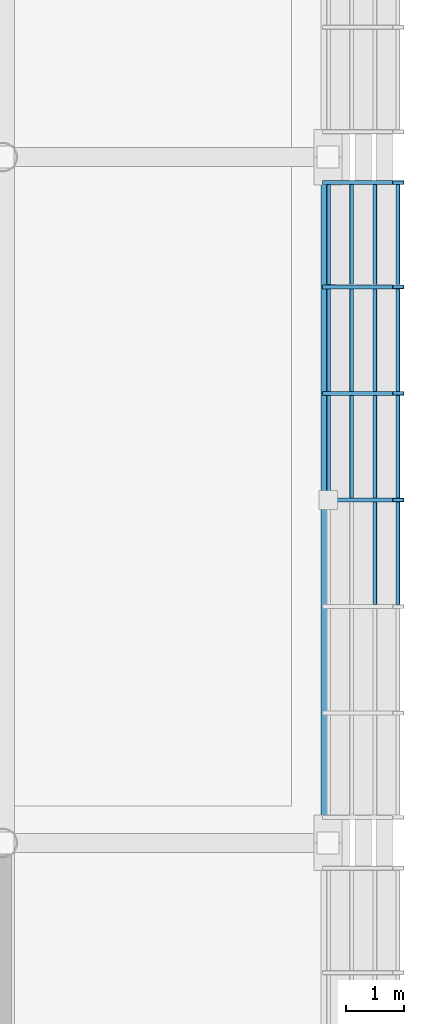
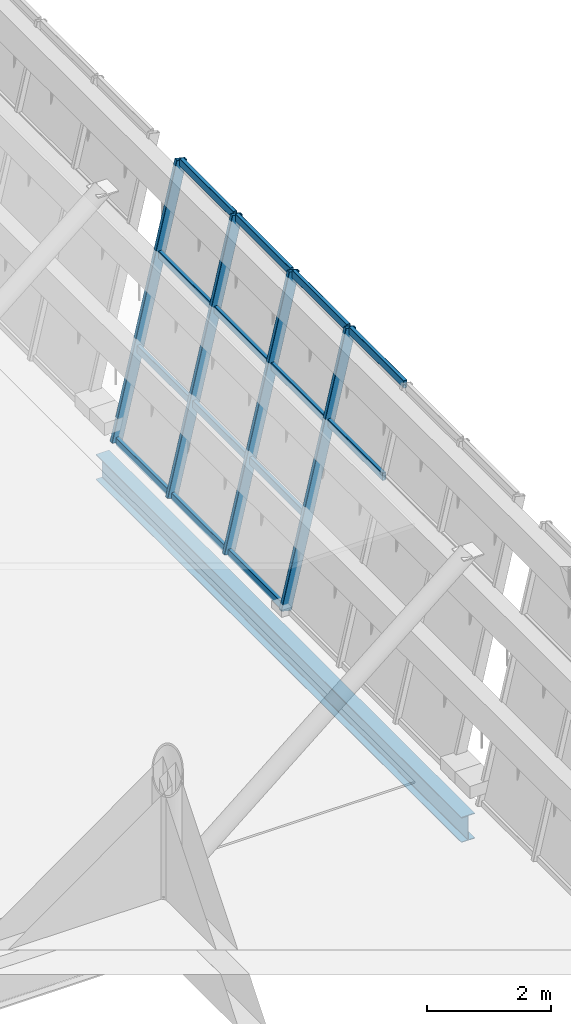
# One storey, part 64 of 175: 18 members, 1 beam, 1 element without a shape of its own.
"""IFC4 building model written with IfcOpenShell, lengths in metres."""

from ifc_helpers import new_model, si_unit, direction, frame, origin, origin_2d, place, context, subcontext, project, spatial, hollow_rectangle, i_section, extrude, material, material_profile, profile_set, type_object, element, aggregate, save


model = new_model("IFC4")

# Units and contexts
model_context = context("Model", 3, precision=1e-05, world=origin(), true_north=direction((0.0, 1.0)))
body_context = subcontext(model_context, "Body", "Model", "MODEL_VIEW")
ifc_project = project(units=[si_unit("LENGTHUNIT", "METRE"), si_unit("AREAUNIT", "SQUARE_METRE"), si_unit("VOLUMEUNIT", "CUBIC_METRE"), si_unit("PLANEANGLEUNIT", "RADIAN"), si_unit("MASSUNIT", "GRAM", prefix="KILO")], contexts=[model_context])

# Site, building, storey
site_placement = place(None, origin())
site = spatial("IfcSite", under=ifc_project, at=site_placement, CompositionType="ELEMENT")
building_placement = place(site_placement, origin())
building = spatial("IfcBuilding", under=site, at=building_placement, Name="Brelvane Convention Centre", CompositionType="ELEMENT")
storey_placement = place(building_placement, frame((0.0, 0.0, 5.39990234375)))
storey = spatial("IfcBuildingStorey", under=building, at=storey_placement, Name="L01", CompositionType="ELEMENT", Elevation=5.39990234375)

# Curtain wall, members
ifc_material_1 = material(Name="Anodised Aluminium Alloy 6063-T6", Category="aluminium")
curtain_wall_type = type_object("IfcCurtainWallType", Name="Curtain Wall CW-PLEN-E", PredefinedType="USERDEFINED", material=ifc_material_1)
curtain_wall_placement = place(storey_placement, origin())
curtain_wall = element("IfcCurtainWall", 1, at=curtain_wall_placement, inside=storey, type_object=curtain_wall_type, Name="Curtain Wall CW-PLEN-E L01-HULL-E-L01-4", ObjectType="UNITISED", PredefinedType="USERDEFINED")
ifc_material_2 = material(Name="Anodised Aluminium Alloy 6063-T6", Category="aluminium")
ifc_material_profile_1 = material_profile(ifc_material_2, hollow_rectangle(XDim=0.074951171875, YDim=0.199951171875, WallThickness=0.0048828125, InnerFilletRadius=0.0048828125, OuterFilletRadius=0.010009765625, at=origin_2d()), Name="ALU-M 200x75x5.0")
ifc_profile_set_1 = profile_set([ifc_material_profile_1], Name="Anodised Aluminium Alloy 6063-T6")
member_type_1 = type_object("IfcMemberType", Name="Curtain Mullion CW-M2", PredefinedType="MULLION", material=ifc_profile_set_1)
member_1_placement = place(storey_placement, frame((230.0, 58.300048828125, 0.0), z_axis=(0.228360162456, 0.0, 0.973576723326), x_axis=(0.0, 1.0, 0.0)))
member_1 = element("IfcMember", 2, at=member_1_placement, type_object=member_type_1, Name="CW-PLEN-E mullion 4", PredefinedType="MULLION", context=body_context, shape_type="SweptSolid", body=[
    extrude(hollow_rectangle(XDim=0.074951171875, YDim=0.199951171875, WallThickness=0.0048828125, InnerFilletRadius=0.0048828125, OuterFilletRadius=0.010009765625, at=origin_2d()), origin(), (0.0, 0.0, 1.0), 5.2900390625),
])
member_2_placement = place(storey_placement, frame((230.0, 60.13330078125, 0.0), z_axis=(0.228360162456, 0.0, 0.973576723326), x_axis=(0.0, 1.0, 0.0)))
member_2 = element("IfcMember", 3, at=member_2_placement, type_object=member_type_1, Name="CW-PLEN-E mullion 5", PredefinedType="MULLION", context=body_context, shape_type="SweptSolid", body=[
    extrude(hollow_rectangle(XDim=0.074951171875, YDim=0.199951171875, WallThickness=0.0048828125, InnerFilletRadius=0.0048828125, OuterFilletRadius=0.010009765625, at=origin_2d()), origin(), (0.0, 0.0, 1.0), 5.2900390625),
])
member_3_placement = place(storey_placement, frame((230.0, 61.966552734375, 0.0), z_axis=(0.228360162456, 0.0, 0.973576723326), x_axis=(0.0, 1.0, 0.0)))
member_3 = element("IfcMember", 4, at=member_3_placement, type_object=member_type_1, Name="CW-PLEN-E mullion 6", PredefinedType="MULLION", context=body_context, shape_type="SweptSolid", body=[
    extrude(hollow_rectangle(XDim=0.074951171875, YDim=0.199951171875, WallThickness=0.0048828125, InnerFilletRadius=0.0048828125, OuterFilletRadius=0.010009765625, at=origin_2d()), origin(), (0.0, 0.0, 1.0), 5.2900390625),
])
member_4_placement = place(storey_placement, frame((230.0, 63.762451171875, 0.0), z_axis=(0.228360162456, 0.0, 0.973576723326), x_axis=(0.0, 1.0, 0.0)))
member_4 = element("IfcMember", 5, at=member_4_placement, type_object=member_type_1, Name="CW-PLEN-E mullion 7", PredefinedType="MULLION", context=body_context, shape_type="SweptSolid", body=[
    extrude(hollow_rectangle(XDim=0.074951171875, YDim=0.199951171875, WallThickness=0.0048828125, InnerFilletRadius=0.0048828125, OuterFilletRadius=0.010009765625, at=origin_2d()), origin(), (0.0, 0.0, 1.0), 5.2900390625),
])
ifc_material_3 = material(Name="Anodised Aluminium Alloy 6063-T6", Category="aluminium")
ifc_material_profile_2 = material_profile(ifc_material_3, hollow_rectangle(XDim=0.070068359375, YDim=0.14990234375, WallThickness=0.00439453125, InnerFilletRadius=0.00439453125, OuterFilletRadius=0.009033203125, at=origin_2d()), Name="ALU-T 150x70x4.5")
ifc_profile_set_2 = profile_set([ifc_material_profile_2], Name="Anodised Aluminium Alloy 6063-T6")
member_type_2 = type_object("IfcMemberType", Name="Curtain Transom CW-T2", PredefinedType="USERDEFINED", material=ifc_profile_set_2)
member_5_placement = place(storey_placement, frame((230.80517578125, 56.504150390625, 3.433349609375), z_axis=(0.0, 1.0, 0.0), x_axis=(-1.0, 0.0, 0.0)))
member_5 = element("IfcMember", 6, at=member_5_placement, type_object=member_type_2, Name="CW-PLEN-E transom 3.3", ObjectType="TRANSOM", PredefinedType="USERDEFINED", context=body_context, shape_type="SweptSolid", body=[
    extrude(hollow_rectangle(XDim=0.070068359375, YDim=0.14990234375, WallThickness=0.00439453125, InnerFilletRadius=0.00439453125, OuterFilletRadius=0.009033203125, at=origin_2d()), origin(), (0.0, 0.0, 1.0), 1.75830078125),
])
member_6_placement = place(storey_placement, frame((231.19970703125, 56.504150390625, 5.114990234375), z_axis=(0.0, 1.0, 0.0), x_axis=(-1.0, 0.0, 0.0)))
member_6 = element("IfcMember", 7, at=member_6_placement, type_object=member_type_2, Name="CW-PLEN-E transom 3.4", ObjectType="TRANSOM", PredefinedType="USERDEFINED", context=body_context, shape_type="SweptSolid", body=[
    extrude(hollow_rectangle(XDim=0.070068359375, YDim=0.14990234375, WallThickness=0.00439453125, InnerFilletRadius=0.00439453125, OuterFilletRadius=0.009033203125, at=origin_2d()), origin(), (0.0, 0.0, 1.0), 1.75830078125),
])
member_7_placement = place(storey_placement, frame((230.00830078125, 58.33740234375, 0.03515625), z_axis=(0.0, 1.0, 0.0), x_axis=(-1.0, 0.0, 0.0)))
member_7 = element("IfcMember", 8, at=member_7_placement, type_object=member_type_2, Name="CW-PLEN-E transom 4.1", ObjectType="TRANSOM", PredefinedType="USERDEFINED", context=body_context, shape_type="SweptSolid", body=[
    extrude(hollow_rectangle(XDim=0.070068359375, YDim=0.14990234375, WallThickness=0.00439453125, InnerFilletRadius=0.00439453125, OuterFilletRadius=0.009033203125, at=origin_2d()), origin(), (0.0, 0.0, 1.0), 1.758544921875),
])
member_8_placement = place(storey_placement, frame((230.402587890625, 58.33740234375, 1.716796875), z_axis=(0.0, 1.0, 0.0), x_axis=(-1.0, 0.0, 0.0)))
member_8 = element("IfcMember", 9, at=member_8_placement, type_object=member_type_2, Name="CW-PLEN-E transom 4.2", ObjectType="TRANSOM", PredefinedType="USERDEFINED", context=body_context, shape_type="SweptSolid", body=[
    extrude(hollow_rectangle(XDim=0.070068359375, YDim=0.14990234375, WallThickness=0.00439453125, InnerFilletRadius=0.00439453125, OuterFilletRadius=0.009033203125, at=origin_2d()), origin(), (0.0, 0.0, 1.0), 1.758544921875),
])
member_9_placement = place(storey_placement, frame((230.80517578125, 58.33740234375, 3.433349609375), z_axis=(0.0, 1.0, 0.0), x_axis=(-1.0, 0.0, 0.0)))
member_9 = element("IfcMember", 10, at=member_9_placement, type_object=member_type_2, Name="CW-PLEN-E transom 4.3", ObjectType="TRANSOM", PredefinedType="USERDEFINED", context=body_context, shape_type="SweptSolid", body=[
    extrude(hollow_rectangle(XDim=0.070068359375, YDim=0.14990234375, WallThickness=0.00439453125, InnerFilletRadius=0.00439453125, OuterFilletRadius=0.009033203125, at=origin_2d()), origin(), (0.0, 0.0, 1.0), 1.758544921875),
])
member_10_placement = place(storey_placement, frame((231.19970703125, 58.33740234375, 5.114990234375), z_axis=(0.0, 1.0, 0.0), x_axis=(-1.0, 0.0, 0.0)))
member_10 = element("IfcMember", 11, at=member_10_placement, type_object=member_type_2, Name="CW-PLEN-E transom 4.4", ObjectType="TRANSOM", PredefinedType="USERDEFINED", context=body_context, shape_type="SweptSolid", body=[
    extrude(hollow_rectangle(XDim=0.070068359375, YDim=0.14990234375, WallThickness=0.00439453125, InnerFilletRadius=0.00439453125, OuterFilletRadius=0.009033203125, at=origin_2d()), origin(), (0.0, 0.0, 1.0), 1.758544921875),
])
member_11_placement = place(storey_placement, frame((230.00830078125, 60.1708984375, 0.03515625), z_axis=(0.0, 1.0, 0.0), x_axis=(-1.0, 0.0, 0.0)))
member_11 = element("IfcMember", 12, at=member_11_placement, type_object=member_type_2, Name="CW-PLEN-E transom 5.1", ObjectType="TRANSOM", PredefinedType="USERDEFINED", context=body_context, shape_type="SweptSolid", body=[
    extrude(hollow_rectangle(XDim=0.070068359375, YDim=0.14990234375, WallThickness=0.00439453125, InnerFilletRadius=0.00439453125, OuterFilletRadius=0.009033203125, at=origin_2d()), origin(), (0.0, 0.0, 1.0), 1.75830078125),
])
member_12_placement = place(storey_placement, frame((230.402587890625, 60.1708984375, 1.716796875), z_axis=(0.0, 1.0, 0.0), x_axis=(-1.0, 0.0, 0.0)))
member_12 = element("IfcMember", 13, at=member_12_placement, type_object=member_type_2, Name="CW-PLEN-E transom 5.2", ObjectType="TRANSOM", PredefinedType="USERDEFINED", context=body_context, shape_type="SweptSolid", body=[
    extrude(hollow_rectangle(XDim=0.070068359375, YDim=0.14990234375, WallThickness=0.00439453125, InnerFilletRadius=0.00439453125, OuterFilletRadius=0.009033203125, at=origin_2d()), origin(), (0.0, 0.0, 1.0), 1.75830078125),
])
member_13_placement = place(storey_placement, frame((230.80517578125, 60.1708984375, 3.433349609375), z_axis=(0.0, 1.0, 0.0), x_axis=(-1.0, 0.0, 0.0)))
member_13 = element("IfcMember", 14, at=member_13_placement, type_object=member_type_2, Name="CW-PLEN-E transom 5.3", ObjectType="TRANSOM", PredefinedType="USERDEFINED", context=body_context, shape_type="SweptSolid", body=[
    extrude(hollow_rectangle(XDim=0.070068359375, YDim=0.14990234375, WallThickness=0.00439453125, InnerFilletRadius=0.00439453125, OuterFilletRadius=0.009033203125, at=origin_2d()), origin(), (0.0, 0.0, 1.0), 1.75830078125),
])
member_14_placement = place(storey_placement, frame((231.19970703125, 60.1708984375, 5.114990234375), z_axis=(0.0, 1.0, 0.0), x_axis=(-1.0, 0.0, 0.0)))
member_14 = element("IfcMember", 15, at=member_14_placement, type_object=member_type_2, Name="CW-PLEN-E transom 5.4", ObjectType="TRANSOM", PredefinedType="USERDEFINED", context=body_context, shape_type="SweptSolid", body=[
    extrude(hollow_rectangle(XDim=0.070068359375, YDim=0.14990234375, WallThickness=0.00439453125, InnerFilletRadius=0.00439453125, OuterFilletRadius=0.009033203125, at=origin_2d()), origin(), (0.0, 0.0, 1.0), 1.75830078125),
])
member_15_placement = place(storey_placement, frame((230.00830078125, 62.004150390625, 0.03515625), z_axis=(0.0, 1.0, 0.0), x_axis=(-1.0, 0.0, 0.0)))
member_15 = element("IfcMember", 16, at=member_15_placement, type_object=member_type_2, Name="CW-PLEN-E transom 6.1", ObjectType="TRANSOM", PredefinedType="USERDEFINED", context=body_context, shape_type="SweptSolid", body=[
    extrude(hollow_rectangle(XDim=0.070068359375, YDim=0.14990234375, WallThickness=0.00439453125, InnerFilletRadius=0.00439453125, OuterFilletRadius=0.009033203125, at=origin_2d()), origin(), (0.0, 0.0, 1.0), 1.720947265625),
])
member_16_placement = place(storey_placement, frame((230.402587890625, 62.004150390625, 1.716796875), z_axis=(0.0, 1.0, 0.0), x_axis=(-1.0, 0.0, 0.0)))
member_16 = element("IfcMember", 17, at=member_16_placement, type_object=member_type_2, Name="CW-PLEN-E transom 6.2", ObjectType="TRANSOM", PredefinedType="USERDEFINED", context=body_context, shape_type="SweptSolid", body=[
    extrude(hollow_rectangle(XDim=0.070068359375, YDim=0.14990234375, WallThickness=0.00439453125, InnerFilletRadius=0.00439453125, OuterFilletRadius=0.009033203125, at=origin_2d()), origin(), (0.0, 0.0, 1.0), 1.720947265625),
])
member_17_placement = place(storey_placement, frame((230.80517578125, 62.004150390625, 3.433349609375), z_axis=(0.0, 1.0, 0.0), x_axis=(-1.0, 0.0, 0.0)))
member_17 = element("IfcMember", 18, at=member_17_placement, type_object=member_type_2, Name="CW-PLEN-E transom 6.3", ObjectType="TRANSOM", PredefinedType="USERDEFINED", context=body_context, shape_type="SweptSolid", body=[
    extrude(hollow_rectangle(XDim=0.070068359375, YDim=0.14990234375, WallThickness=0.00439453125, InnerFilletRadius=0.00439453125, OuterFilletRadius=0.009033203125, at=origin_2d()), origin(), (0.0, 0.0, 1.0), 1.720947265625),
])
member_18_placement = place(storey_placement, frame((231.19970703125, 62.004150390625, 5.114990234375), z_axis=(0.0, 1.0, 0.0), x_axis=(-1.0, 0.0, 0.0)))
member_18 = element("IfcMember", 19, at=member_18_placement, type_object=member_type_2, Name="CW-PLEN-E transom 6.4", ObjectType="TRANSOM", PredefinedType="USERDEFINED", context=body_context, shape_type="SweptSolid", body=[
    extrude(hollow_rectangle(XDim=0.070068359375, YDim=0.14990234375, WallThickness=0.00439453125, InnerFilletRadius=0.00439453125, OuterFilletRadius=0.009033203125, at=origin_2d()), origin(), (0.0, 0.0, 1.0), 1.720947265625),
])
aggregate(curtain_wall, [member_1, member_2, member_3, member_4, member_5, member_6, member_7, member_8, member_9, member_10, member_11, member_12, member_13, member_14, member_15, member_16, member_17, member_18])

# Beam
ifc_material_4 = material(Name="Steel E350 (350 MPa)", Category="steel")
ifc_material_profile_3 = material_profile(ifc_material_4, i_section(OverallWidth=0.25, OverallDepth=0.5, WebThickness=0.010009765625, FlangeThickness=0.0146484375, FilletRadius=0.01611328125, at=origin_2d()), Name="ISWB 500")
ifc_profile_set_3 = profile_set([ifc_material_profile_3], Name="Steel E350 (350 MPa)")
beam_type = type_object("IfcBeamType", Name="Steel Spandrel SP-ST1 (ISWB 500)", PredefinedType="SPANDREL", material=ifc_profile_set_3)
beam_placement = place(storey_placement, frame((230.0, 52.39990234375, -0.719970703125), z_axis=(0.0, 1.0, 0.0), x_axis=(-1.0, 0.0, 0.0)))
element("IfcBeam", 20, at=beam_placement, inside=storey, type_object=beam_type, Name="L01 Plenary Overhang Tip Spandrel 4", PredefinedType="SPANDREL", context=body_context, shape_type="SweptSolid", body=[
    extrude(i_section(OverallWidth=0.25, OverallDepth=0.5, WebThickness=0.010009765625, FlangeThickness=0.0146484375, FilletRadius=0.01611328125, at=origin_2d()), origin(), (0.0, 0.0, 1.0), 11.800048828125),
])

save(model, "model.ifc")
